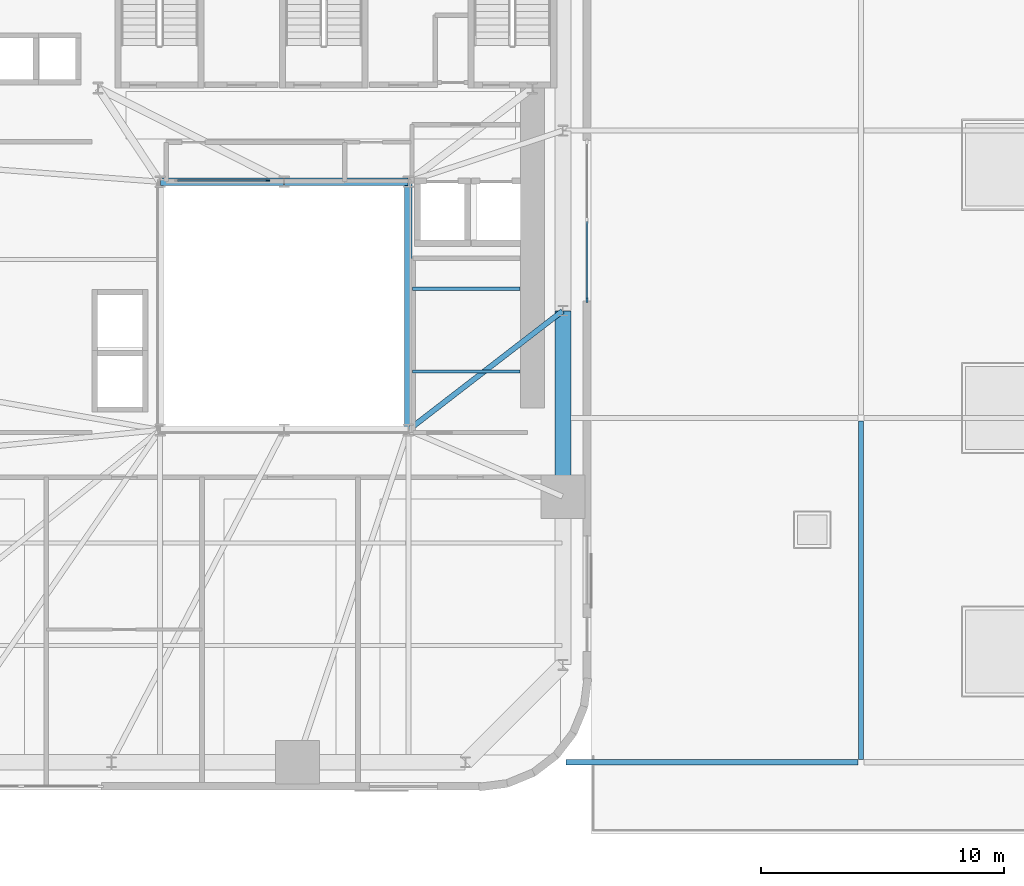
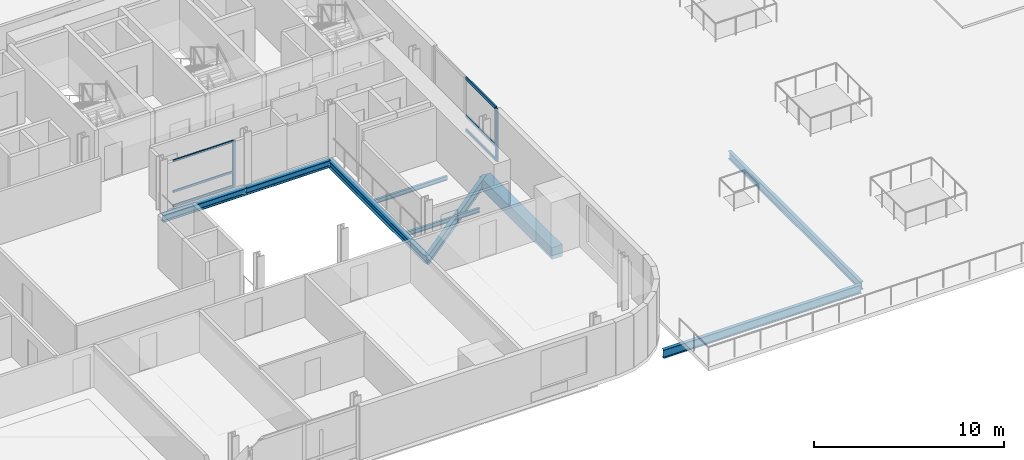
# One storey, part 4 of 18: 9 beams, 8 members, 2 elements without a shape of their own.
"""IFC4 building model written with IfcOpenShell, lengths in metres."""

from ifc_helpers import new_model, si_unit, direction, frame, origin, origin_2d, place, context, subcontext, project, spatial, rectangle, i_section, extrude, source, transform, mapped, material, material_profile, profile_set, type_object, element, aggregate, save


model = new_model("IFC4")

# Units and contexts
model_context = context("Model", 3, precision=1e-05, world=origin(), true_north=direction((0.0, 1.0)))
body_context = subcontext(model_context, "Body", "Model", "MODEL_VIEW")
ifc_project = project(units=[si_unit("LENGTHUNIT", "METRE"), si_unit("AREAUNIT", "SQUARE_METRE"), si_unit("VOLUMEUNIT", "CUBIC_METRE"), si_unit("PLANEANGLEUNIT", "RADIAN"), si_unit("MASSUNIT", "GRAM", prefix="KILO")], contexts=[model_context])

# Site, building, storey
site_placement = place(None, origin())
site = spatial("IfcSite", under=ifc_project, at=site_placement, CompositionType="ELEMENT")
building_placement = place(site_placement, origin())
building = spatial("IfcBuilding", under=site, at=building_placement, Name="Vardaveli Station Tower", CompositionType="ELEMENT")
storey_placement = place(building_placement, frame((0.0, 0.0, 27.60009765625)))
storey = spatial("IfcBuildingStorey", under=building, at=storey_placement, Name="L06", CompositionType="ELEMENT", Elevation=27.60009765625)

# Beams
ifc_material_1 = material(Name="Structural steel S355J2", Category="steel")
ifc_material_profile_1 = material_profile(ifc_material_1, i_section(OverallWidth=0.2099609375, OverallDepth=0.550048828125, WebThickness=0.010986328125, FlangeThickness=0.01708984375, FilletRadius=0.02392578125, at=origin_2d()), Name="IPE 550")
ifc_profile_set_1 = profile_set([ifc_material_profile_1], Name="Structural steel S355J2")
beam_type_1 = type_object("IfcBeamType", Name="BM-IPE550", PredefinedType="BEAM", material=ifc_profile_set_1)
shared_shape_1 = source(origin(), body_context, "Body", "SweptSolid", [
    extrude(i_section(OverallWidth=0.2099609375, OverallDepth=0.550048828125, WebThickness=0.010986328125, FlangeThickness=0.01708984375, FilletRadius=0.02392578125, at=origin_2d()), origin(), (0.0, 0.0, 1.0), 12.009765625),
])
beam_1_placement = place(storey_placement, frame((47.8701171875, 2.949951171875, -0.53515625), z_axis=(1.0, 0.0, 0.0), x_axis=(0.0, 1.0, 0.0)))
element("IfcBeam", 1, at=beam_1_placement, inside=storey, type_object=beam_type_1, Name="PRB-L06-EW1-47", PredefinedType="BEAM", context=body_context, shape_type="MappedRepresentation", body=[
    mapped(shared_shape_1, transform((0.0, 0.0, 0.0), scale=1.0)),
])
ifc_material_profile_2 = material_profile(ifc_material_1, i_section(OverallWidth=0.199951171875, OverallDepth=0.5, WebThickness=0.01025390625, FlangeThickness=0.01611328125, FilletRadius=0.02099609375, at=origin_2d()), Name="IPE 500")
ifc_profile_set_2 = profile_set([ifc_material_profile_2], Name="Structural steel S355J2")
beam_type_2 = type_object("IfcBeamType", Name="BM-IPE500", PredefinedType="BEAM", material=ifc_profile_set_2)
shared_shape_2 = source(origin(), body_context, "Body", "SweptSolid", [
    extrude(i_section(OverallWidth=0.199951171875, OverallDepth=0.5, WebThickness=0.01025390625, FlangeThickness=0.01611328125, FilletRadius=0.02099609375, at=origin_2d()), origin(), (0.0, 0.0, 1.0), 13.909912109375),
])
beam_2_placement = place(storey_placement, frame((60.0, 3.070068359375, -0.510009765625), z_axis=(0.0, 1.0, 0.0), x_axis=(-1.0, 0.0, 0.0)))
element("IfcBeam", 2, at=beam_2_placement, inside=storey, type_object=beam_type_2, Name="PRB-L06-NS60-1", PredefinedType="BEAM", context=body_context, shape_type="MappedRepresentation", body=[
    mapped(shared_shape_2, transform((0.0, 0.0, 0.0), scale=1.0)),
])
ifc_material_profile_3 = material_profile(ifc_material_1, i_section(OverallWidth=0.300048828125, OverallDepth=0.449951171875, WebThickness=0.013916015625, FlangeThickness=0.02587890625, FilletRadius=0.027099609375, at=origin_2d()), Name="HEB 450")
ifc_profile_set_3 = profile_set([ifc_material_profile_3], Name="Structural steel S355J2")
beam_type_3 = type_object("IfcBeamType", Name="BM-HEB450", PredefinedType="BEAM", material=ifc_profile_set_3)
shared_shape_3 = source(origin(), body_context, "Body", "SweptSolid", [
    extrude(i_section(OverallWidth=0.300048828125, OverallDepth=0.449951171875, WebThickness=0.013916015625, FlangeThickness=0.02587890625, FilletRadius=0.027099609375, at=origin_2d()), origin(), (0.0, 0.0, 1.0), 5.06005859375),
])
beam_3_placement = place(storey_placement, frame((36.280029296875, 26.800048828125, -0.465087890625), z_axis=(-1.0, 0.0, 0.0), x_axis=(0.0, -1.0, 0.0)))
element("IfcBeam", 3, at=beam_3_placement, inside=storey, type_object=beam_type_3, Name="ABM-L06-05", PredefinedType="BEAM", context=body_context, shape_type="MappedRepresentation", body=[
    mapped(shared_shape_3, transform((0.0, 0.0, 0.0), scale=1.0)),
])
shared_shape_4 = source(origin(), body_context, "Body", "SweptSolid", [
    extrude(i_section(OverallWidth=0.300048828125, OverallDepth=0.449951171875, WebThickness=0.013916015625, FlangeThickness=0.02587890625, FilletRadius=0.027099609375, at=origin_2d()), origin(), (0.0, 0.0, 1.0), 5.059814453125),
])
beam_4_placement = place(storey_placement, frame((41.3798828125, 26.800048828125, -0.465087890625), z_axis=(-1.0, 0.0, 0.0), x_axis=(0.0, -1.0, 0.0)))
element("IfcBeam", 4, at=beam_4_placement, inside=storey, type_object=beam_type_3, Name="ABM-L06-04", PredefinedType="BEAM", context=body_context, shape_type="MappedRepresentation", body=[
    mapped(shared_shape_4, transform((0.0, 0.0, 0.0), scale=1.0)),
])
shared_shape_5 = source(origin(), body_context, "Body", "SweptSolid", [
    extrude(i_section(OverallWidth=0.300048828125, OverallDepth=0.449951171875, WebThickness=0.013916015625, FlangeThickness=0.02587890625, FilletRadius=0.027099609375, at=origin_2d()), origin(), (0.0, 0.0, 1.0), 10.159912109375),
])
beam_5_placement = place(storey_placement, frame((41.39990234375, 16.6201171875, -0.465087890625), z_axis=(0.0, 1.0, 0.0), x_axis=(-1.0, 0.0, 0.0)))
element("IfcBeam", 5, at=beam_5_placement, inside=storey, type_object=beam_type_3, Name="ABM-L06-03", PredefinedType="BEAM", context=body_context, shape_type="MappedRepresentation", body=[
    mapped(shared_shape_5, transform((0.0, 0.0, 0.0), scale=1.0)),
])
ifc_material_2 = material(Name="Precast concrete C45/55", Category="concrete")
ifc_material_profile_4 = material_profile(ifc_material_2, rectangle(XDim=0.64990234375, YDim=0.75, at=origin_2d()), Name="LPB 650x750")
ifc_profile_set_4 = profile_set([ifc_material_profile_4], Name="Precast concrete C45/55")
beam_type_4 = type_object("IfcBeamType", Name="BM-LPB-750", PredefinedType="BEAM", material=ifc_profile_set_4)
shared_shape_6 = source(origin(), body_context, "Body", "SweptSolid", [
    extrude(rectangle(XDim=0.64990234375, YDim=0.75, at=origin_2d()), origin(), (0.0, 0.0, 1.0), 7.60009765625),
])
beam_6_placement = place(storey_placement, frame((47.75, 13.8798828125, -0.614990234375), z_axis=(0.0, 1.0, 0.0), x_axis=(-1.0, 0.0, 0.0)))
element("IfcBeam", 6, at=beam_6_placement, inside=storey, type_object=beam_type_4, Name="RBM-L06-07", PredefinedType="BEAM", context=body_context, shape_type="MappedRepresentation", body=[
    mapped(shared_shape_6, transform((0.0, 0.0, 0.0), scale=1.0)),
])
ifc_material_profile_5 = material_profile(ifc_material_1, i_section(OverallWidth=0.219970703125, OverallDepth=0.60009765625, WebThickness=0.011962890625, FlangeThickness=0.01904296875, FilletRadius=0.02392578125, at=origin_2d()), Name="IPE 600")
ifc_profile_set_5 = profile_set([ifc_material_profile_5], Name="Structural steel S355J2")
beam_type_5 = type_object("IfcBeamType", Name="BM-IPE600", PredefinedType="BEAM", material=ifc_profile_set_5)
shared_shape_7 = source(origin(), body_context, "Body", "SweptSolid", [
    extrude(i_section(OverallWidth=0.219970703125, OverallDepth=0.60009765625, WebThickness=0.011962890625, FlangeThickness=0.01904296875, FilletRadius=0.02392578125, at=origin_2d()), origin(), (0.0, 0.0, 1.0), 7.980712890625),
])
beam_7_placement = place(storey_placement, frame((47.734130859375, 21.48779296875, -0.5400390625), z_axis=(-0.791701934907, -0.610907559509, 0.0), x_axis=(0.610907559509, -0.791701934907, 0.0)))
element("IfcBeam", 7, at=beam_7_placement, inside=storey, type_object=beam_type_5, Name="GBM-L06-06", PredefinedType="BEAM", context=body_context, shape_type="MappedRepresentation", body=[
    mapped(shared_shape_7, transform((0.0, 0.0, 0.0), scale=1.0)),
])
ifc_material_profile_6 = material_profile(ifc_material_1, i_section(OverallWidth=0.135009765625, OverallDepth=0.27001953125, WebThickness=0.006591796875, FlangeThickness=0.01025390625, FilletRadius=0.014892578125, at=origin_2d()), Name="IPE 270")
ifc_profile_set_6 = profile_set([ifc_material_profile_6], Name="Structural steel S355J2")
beam_type_6 = type_object("IfcBeamType", Name="BM-IPE270", PredefinedType="BEAM", material=ifc_profile_set_6)
shared_shape_8 = source(origin(), body_context, "Body", "SweptSolid", [
    extrude(i_section(OverallWidth=0.135009765625, OverallDepth=0.27001953125, WebThickness=0.006591796875, FlangeThickness=0.01025390625, FilletRadius=0.014892578125, at=origin_2d()), origin(), (0.0, 0.0, 1.0), 4.43017578125),
])
for number, where, z_axis, x_axis, name in (
    (8, (41.56494140625, 19.0, -0.375), (1.0, 0.0, 0.0), (0.0, 1.0, 0.0), "TJ-L06-01"),
    (9, (41.56494140625, 22.39990234375, -0.375), (1.0, 0.0, 0.0), (0.0, 1.0, 0.0), "TJ-L06-02"),
):
    element("IfcBeam", number, at=place(storey_placement, frame(where, z_axis=z_axis, x_axis=x_axis)), inside=storey, type_object=beam_type_6, Name=name, PredefinedType="BEAM", context=body_context, shape_type="MappedRepresentation", body=[
        mapped(shared_shape_8, transform((0.0, 0.0, 0.0), scale=1.0)),
    ])

# Curtain wall, members
ifc_material_3 = material(Name="Travertine stone and solar-control glass", Category="masonry")
curtain_wall_type_1 = type_object("IfcCurtainWallType", Name="CW-SYS-2", PredefinedType="NOTDEFINED", material=ifc_material_3)
curtain_wall_1_placement = place(storey_placement, origin())
curtain_wall_1 = element("IfcCurtainWall", 10, at=curtain_wall_1_placement, inside=storey, type_object=curtain_wall_type_1, Name="CW-L06-E", PredefinedType="NOTDEFINED")
ifc_material_4 = material(Name="Anodised aluminium alloy 6063-T6", Category="aluminium")
ifc_material_profile_7 = material_profile(ifc_material_4, rectangle(XDim=0.0849609375, YDim=0.219970703125, at=origin_2d()), Name="CWM 85x220")
ifc_profile_set_7 = profile_set([ifc_material_profile_7], Name="Anodised aluminium alloy 6063-T6")
member_type_1 = type_object("IfcMemberType", Name="CW-SYS-2-MULL", PredefinedType="MULLION", material=ifc_profile_set_7)
shared_shape_9 = source(origin(), body_context, "Body", "SweptSolid", [
    extrude(rectangle(XDim=0.0849609375, YDim=0.219970703125, at=origin_2d()), origin(), (0.0, 0.0, 1.0), 3.409912109375),
])
member_1_placement = place(storey_placement, frame((48.739990234375, 21.9423828125, 0.0), z_axis=(0.0, 0.0, 1.0), x_axis=(-1.0, 0.0, 0.0)))
member_1 = element("IfcMember", 11, at=member_1_placement, type_object=member_type_1, Name="CW-2 mullion 1", PredefinedType="MULLION", context=body_context, shape_type="MappedRepresentation", body=[
    mapped(shared_shape_9, transform((0.0, 0.0, 0.0), scale=1.0)),
])
ifc_material_profile_8 = material_profile(ifc_material_4, rectangle(XDim=0.0849609375, YDim=0.179931640625, at=origin_2d()), Name="CWT 85x180")
ifc_profile_set_8 = profile_set([ifc_material_profile_8], Name="Anodised aluminium alloy 6063-T6")
member_type_2 = type_object("IfcMemberType", Name="CW-SYS-2-TRAN", PredefinedType="NOTDEFINED", material=ifc_profile_set_8)
shared_shape_10 = source(origin(), body_context, "Body", "SweptSolid", [
    extrude(rectangle(XDim=0.0849609375, YDim=0.179931640625, at=origin_2d()), origin(), (0.0, 0.0, 1.0), 3.17236328125),
])
member_2_placement = place(storey_placement, frame((48.739990234375, 21.985107421875, 0.04248046875), z_axis=(0.0, 1.0, 0.0), x_axis=(-1.0, 0.0, 0.0)))
member_2 = element("IfcMember", 12, at=member_2_placement, type_object=member_type_2, Name="CW-2 transom 1.1", ObjectType="TRANSOM", PredefinedType="USERDEFINED", context=body_context, shape_type="MappedRepresentation", body=[
    mapped(shared_shape_10, transform((0.0, 0.0, 0.0), scale=1.0)),
])
member_3_placement = place(storey_placement, frame((48.739990234375, 21.985107421875, 0.949951171875), z_axis=(0.0, 1.0, 0.0), x_axis=(-1.0, 0.0, 0.0)))
member_3 = element("IfcMember", 13, at=member_3_placement, type_object=member_type_2, Name="CW-2 transom 1.2", ObjectType="TRANSOM", PredefinedType="USERDEFINED", context=body_context, shape_type="MappedRepresentation", body=[
    mapped(shared_shape_10, transform((0.0, 0.0, 0.0), scale=1.0)),
])
member_4_placement = place(storey_placement, frame((48.739990234375, 21.985107421875, 3.367431640625), z_axis=(0.0, 1.0, 0.0), x_axis=(-1.0, 0.0, 0.0)))
member_4 = element("IfcMember", 14, at=member_4_placement, type_object=member_type_2, Name="CW-2 transom 1.3", ObjectType="TRANSOM", PredefinedType="USERDEFINED", context=body_context, shape_type="MappedRepresentation", body=[
    mapped(shared_shape_10, transform((0.0, 0.0, 0.0), scale=1.0)),
])
aggregate(curtain_wall_1, [member_1, member_2, member_3, member_4])

curtain_wall_type_2 = type_object("IfcCurtainWallType", Name="CW-SYS-4", PredefinedType="NOTDEFINED", material=ifc_material_3)
curtain_wall_2_placement = place(storey_placement, origin())
curtain_wall_2 = element("IfcCurtainWall", 15, at=curtain_wall_2_placement, inside=storey, type_object=curtain_wall_type_2, Name="CW-L06-ATN", PredefinedType="NOTDEFINED")
ifc_material_profile_9 = material_profile(ifc_material_4, rectangle(XDim=0.070068359375, YDim=0.1650390625, at=origin_2d()), Name="CWM 70x165")
ifc_profile_set_9 = profile_set([ifc_material_profile_9], Name="Anodised aluminium alloy 6063-T6")
member_type_3 = type_object("IfcMemberType", Name="CW-SYS-4-MULL", PredefinedType="MULLION", material=ifc_profile_set_9)
shared_shape_11 = source(origin(), body_context, "Body", "SweptSolid", [
    extrude(rectangle(XDim=0.070068359375, YDim=0.1650390625, at=origin_2d()), origin(), (0.0, 0.0, 1.0), 2.949951171875),
])
member_5_placement = place(storey_placement, frame((35.614990234375, 26.85009765625, 0.0), z_axis=(0.0, 0.0, 1.0), x_axis=(0.0, 1.0, 0.0)))
member_5 = element("IfcMember", 16, at=member_5_placement, type_object=member_type_3, Name="CW-4 mullion 2", PredefinedType="MULLION", context=body_context, shape_type="MappedRepresentation", body=[
    mapped(shared_shape_11, transform((0.0, 0.0, 0.0), scale=1.0)),
])
ifc_material_profile_10 = material_profile(ifc_material_4, rectangle(XDim=0.070068359375, YDim=0.135009765625, at=origin_2d()), Name="CWT 70x135")
ifc_profile_set_10 = profile_set([ifc_material_profile_10], Name="Anodised aluminium alloy 6063-T6")
member_type_4 = type_object("IfcMemberType", Name="CW-SYS-4-TRAN", PredefinedType="NOTDEFINED", material=ifc_profile_set_10)
shared_shape_12 = source(origin(), body_context, "Body", "SweptSolid", [
    extrude(rectangle(XDim=0.070068359375, YDim=0.135009765625, at=origin_2d()), origin(), (0.0, 0.0, 1.0), 3.66015625),
])
member_6_placement = place(storey_placement, frame((31.919921875, 26.85009765625, 0.034912109375), z_axis=(1.0, 0.0, 0.0), x_axis=(0.0, 1.0, 0.0)))
member_6 = element("IfcMember", 17, at=member_6_placement, type_object=member_type_4, Name="CW-4 transom 1.1", ObjectType="TRANSOM", PredefinedType="USERDEFINED", context=body_context, shape_type="MappedRepresentation", body=[
    mapped(shared_shape_12, transform((0.0, 0.0, 0.0), scale=1.0)),
])
member_7_placement = place(storey_placement, frame((31.919921875, 26.85009765625, 0.949951171875), z_axis=(1.0, 0.0, 0.0), x_axis=(0.0, 1.0, 0.0)))
member_7 = element("IfcMember", 18, at=member_7_placement, type_object=member_type_4, Name="CW-4 transom 1.2", ObjectType="TRANSOM", PredefinedType="USERDEFINED", context=body_context, shape_type="MappedRepresentation", body=[
    mapped(shared_shape_12, transform((0.0, 0.0, 0.0), scale=1.0)),
])
member_8_placement = place(storey_placement, frame((31.919921875, 26.85009765625, 2.914794921875), z_axis=(1.0, 0.0, 0.0), x_axis=(0.0, 1.0, 0.0)))
member_8 = element("IfcMember", 19, at=member_8_placement, type_object=member_type_4, Name="CW-4 transom 1.3", ObjectType="TRANSOM", PredefinedType="USERDEFINED", context=body_context, shape_type="MappedRepresentation", body=[
    mapped(shared_shape_12, transform((0.0, 0.0, 0.0), scale=1.0)),
])
aggregate(curtain_wall_2, [member_5, member_6, member_7, member_8])

save(model, "model.ifc")
